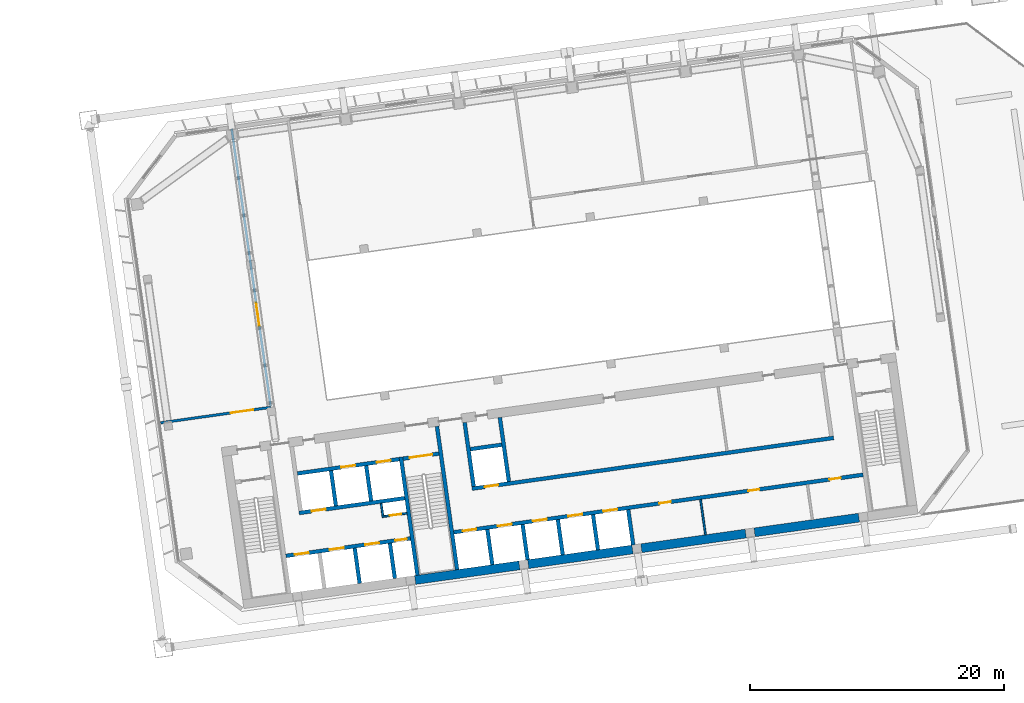
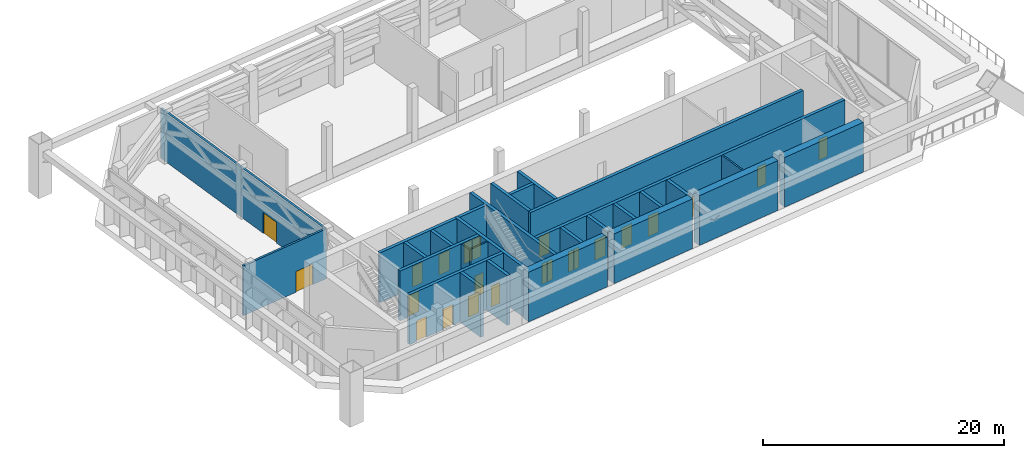
# One storey, part 23 of 41: 29 walls, 20 doors, 20 openings.
"""IFC4 building model written with IfcOpenShell, lengths in metres."""

from ifc_helpers import new_model, si_unit, direction, frame, frame_2d, origin, place, context, subcontext, project, spatial, rectangle, extrude, material, layer, layer_set, type_object, element, fill, save


model = new_model("IFC4")

# Units and contexts
model_context = context("Model", 3, precision=1e-05, world=origin(), true_north=direction((0.0, 1.0)))
body_context = subcontext(model_context, "Body", "Model", "MODEL_VIEW")
ifc_project = project(units=[si_unit("LENGTHUNIT", "METRE"), si_unit("AREAUNIT", "SQUARE_METRE"), si_unit("VOLUMEUNIT", "CUBIC_METRE"), si_unit("PLANEANGLEUNIT", "RADIAN"), si_unit("MASSUNIT", "GRAM", prefix="KILO")], contexts=[model_context])

# Site, building, storey
site_placement = place(None, origin())
site = spatial("IfcSite", under=ifc_project, at=site_placement, CompositionType="ELEMENT")
building_placement = place(site_placement, origin())
building = spatial("IfcBuilding", under=site, at=building_placement, Name="Mirante Cascada Hotel Towers", CompositionType="ELEMENT")
storey_placement = place(building_placement, frame((0.0, 0.0, 151.9)))
storey = spatial("IfcBuildingStorey", under=building, at=storey_placement, Name="L35", CompositionType="ELEMENT", Elevation=151.9)

# Wall
ifc_material_1 = material(Name="Masonry block", Category="masonry")
ifc_layer_1 = layer(ifc_material_1, 0.15)
ifc_layer_set_1 = layer_set([ifc_layer_1], Name="Core room partition 150 block EI 30")
wall_type_1 = type_object("IfcWallType", Name="Core room partition 150 block EI 30", PredefinedType="PARTITIONING", material=ifc_layer_set_1)
wall_1_placement = place(storey_placement, frame((48.2295, -12.793, 0.0), z_axis=(0.0, 0.0, 1.0), x_axis=(-0.1391935, 0.9902652, 0.0)))
element("IfcWall", 1, at=wall_1_placement, inside=storey, type_object=wall_type_1, Name="Core wall partition T2 L35 2", PredefinedType="PARTITIONING", context=body_context, shape_type="SweptSolid", body=[
    extrude(rectangle(XDim=1.1251, YDim=0.15, at=frame_2d((0.5626, 0.0))), origin(), (0.0, 0.0, 1.0), 5.05),
])

# Wall, opening, door
wall_2_placement = place(storey_placement, frame((48.2933, -12.7083, 0.0), z_axis=(0.0, 0.0, 1.0), x_axis=(0.990268, 0.1391734, 0.0)))
wall_2 = element("IfcWall", 2, at=wall_2_placement, inside=storey, type_object=wall_type_1, Name="Core wall partition T2 L35 3", PredefinedType="PARTITIONING", context=body_context, shape_type="SweptSolid", body=[
    extrude(rectangle(XDim=1.8251, YDim=0.15, at=frame_2d((0.9126, 0.0))), origin(), (0.0, 0.0, 1.0), 5.05),
])
opening_1_placement = place(wall_2_placement, frame((0.4625, 0.0, 0.0)))
opening_1 = element("IfcOpeningElement", 3, at=opening_1_placement, cuts=wall_2, Name="Opening D2-35-C23", PredefinedType="OPENING", context=body_context, shape_type="SweptSolid", body=[
    extrude(rectangle(XDim=0.9, YDim=2.1, at=frame_2d((0.45, 1.05))), frame((0.0, 0.075, 0.0), z_axis=(0.0, -1.0, 0.0), x_axis=(1.0, 0.0, 0.0)), (0.0, 0.0, 1.0), 0.15),
])
ifc_material_2 = material(Name="Hollow metal fire door leaf")
door_type_1 = type_object("IfcDoorType", Name="Fire door 900x2100 FD60", OperationType="NOTDEFINED", PredefinedType="DOOR", material=ifc_material_2)
door_1_placement = place(opening_1_placement, frame((0.9, 0.0, 0.0), z_axis=(0.0, 0.0, 1.0), x_axis=(-1.0, 0.0, 0.0)))
door_1 = element("IfcDoor", 4, at=door_1_placement, inside=storey, type_object=door_type_1, Name="Riser door T2 L35 23", OperationType="SINGLE_SWING_RIGHT", OverallHeight=2.1, OverallWidth=0.9, PredefinedType="DOOR", context=body_context, shape_type="SweptSolid", body=[
    extrude(rectangle(XDim=0.9, YDim=2.1, at=frame_2d((0.45, 1.05))), frame((0.0, 0.025, 0.0), z_axis=(0.0, -1.0, 0.0), x_axis=(1.0, 0.0, 0.0)), (0.0, 0.0, 1.0), 0.05),
])
fill(opening_1, door_1)

# Walls
wall_3_placement = place(storey_placement, frame((73.6152, -14.1482, 0.0), z_axis=(0.0, 0.0, 1.0), x_axis=(-0.139176, 0.9902677, 0.0)))
element("IfcWall", 5, at=wall_3_placement, inside=storey, type_object=wall_type_1, Name="Core wall partition T2 L35 4", PredefinedType="PARTITIONING", context=body_context, shape_type="SweptSolid", body=[
    extrude(rectangle(XDim=2.8001, YDim=0.15, at=frame_2d((1.4, 0.0))), origin(), (0.0, 0.0, 1.0), 5.05),
])
ifc_material_3 = material(Name="Concrete C50/60", Category="concrete")
ifc_layer_2 = layer(ifc_material_3, 0.3)
ifc_layer_set_2 = layer_set([ifc_layer_2], Name="RC core wall 300 C50/60")
wall_type_2 = type_object("IfcWallType", Name="RC core wall 300 C50/60", PredefinedType="SHEAR", material=ifc_layer_set_2)
wall_4_placement = place(storey_placement, frame((50.938, -17.3352, 0.0), z_axis=(0.0, 0.0, 1.0), x_axis=(-0.1391706, 0.9902684, 0.0)))
element("IfcWall", 6, at=wall_4_placement, inside=storey, type_object=wall_type_2, Name="Core wall T2:L35:6", PredefinedType="SHEAR", context=body_context, shape_type="SweptSolid", body=[
    extrude(rectangle(XDim=9.4, YDim=0.3, at=frame_2d((4.7, 0.0))), origin(), (0.0, 0.0, 1.0), 5.05),
])
wall_5_placement = place(storey_placement, frame((54.0574, -16.8968, 0.0), z_axis=(0.0, 0.0, 1.0), x_axis=(-0.1391761, 0.9902677, 0.0)))
element("IfcWall", 7, at=wall_5_placement, inside=storey, type_object=wall_type_2, Name="Core wall T2:L35:7", PredefinedType="SHEAR", context=body_context, shape_type="SweptSolid", body=[
    extrude(rectangle(XDim=11.3999, YDim=0.3, at=frame_2d((5.7, 0.0))), origin(), (0.0, 0.0, 1.0), 5.05),
])

# Wall, opening, door
wall_6_placement = place(storey_placement, frame((49.7992, -8.1544, 0.0), z_axis=(0.0, 0.0, 1.0), x_axis=(0.9902656, 0.1391909, 0.0)))
wall_6 = element("IfcWall", 8, at=wall_6_placement, inside=storey, type_object=wall_type_2, Name="Core wall T2:L35:10", PredefinedType="SHEAR", context=body_context, shape_type="SweptSolid", body=[
    extrude(rectangle(XDim=2.85, YDim=0.3, at=frame_2d((1.425, 0.0))), origin(), (0.0, 0.0, 1.0), 5.05),
])
opening_2_placement = place(wall_6_placement, frame((0.525, 0.0, 0.0)))
opening_2 = element("IfcOpeningElement", 9, at=opening_2_placement, cuts=wall_6, Name="Opening D2-35-C15", PredefinedType="OPENING", context=body_context, shape_type="SweptSolid", body=[
    extrude(rectangle(XDim=1.8, YDim=2.1, at=frame_2d((0.9, 1.05))), frame((0.0, 0.15, 0.0), z_axis=(0.0, -1.0, 0.0), x_axis=(1.0, 0.0, 0.0)), (0.0, 0.0, 1.0), 0.3),
])
ifc_material_4 = material(Name="Hollow metal fire door leaf")
door_type_2 = type_object("IfcDoorType", Name="Double fire door 1800x2100 FD60", OperationType="DOUBLE_DOOR_SINGLE_SWING", PredefinedType="DOOR", material=ifc_material_4)
door_2_placement = place(opening_2_placement, frame((1.8, 0.0, 0.0), z_axis=(0.0, 0.0, 1.0), x_axis=(-1.0, 0.0, 0.0)))
door_2 = element("IfcDoor", 10, at=door_2_placement, inside=storey, type_object=door_type_2, Name="Stair door T2 L35 15", OperationType="DOUBLE_DOOR_SINGLE_SWING", OverallHeight=2.1, OverallWidth=1.8, PredefinedType="DOOR", context=body_context, shape_type="SweptSolid", body=[
    extrude(rectangle(XDim=0.895, YDim=2.1, at=frame_2d((0.4475, 1.05))), frame((0.0, 0.025, 0.0), z_axis=(0.0, -1.0, 0.0), x_axis=(1.0, 0.0, 0.0)), (0.0, 0.0, 1.0), 0.05),
    extrude(rectangle(XDim=0.895, YDim=2.1, at=frame_2d((1.3525, 1.05))), frame((0.0, 0.025, 0.0), z_axis=(0.0, -1.0, 0.0), x_axis=(1.0, 0.0, 0.0)), (0.0, 0.0, 1.0), 0.05),
])
fill(opening_2, door_2)

# Wall, openings, doors
wall_7_placement = place(storey_placement, frame((40.5753, -15.8126, 0.0), z_axis=(0.0, 0.0, 1.0), x_axis=(0.9902682, 0.1391725, 0.0)))
wall_7 = element("IfcWall", 11, at=wall_7_placement, inside=storey, type_object=wall_type_2, Name="Core wall T2:L35:12", PredefinedType="SHEAR", context=body_context, shape_type="SweptSolid", body=[
    extrude(rectangle(XDim=9.8999, YDim=0.3, at=frame_2d((4.95, 0.0))), origin(), (0.0, 0.0, 1.0), 5.05),
])
opening_3_placement = place(wall_7_placement, frame((0.7, 0.0, 0.0)))
opening_3 = element("IfcOpeningElement", 12, at=opening_3_placement, cuts=wall_7, Name="Opening LD", PredefinedType="OPENING", context=body_context, shape_type="SweptSolid", body=[
    extrude(rectangle(XDim=1.1, YDim=2.1, at=frame_2d((0.55, 1.05))), frame((0.0, 0.15, 0.0), z_axis=(0.0, -1.0, 0.0), x_axis=(1.0, 0.0, 0.0)), (0.0, 0.0, 1.0), 0.3),
])
opening_4_placement = place(wall_7_placement, frame((3.5, 0.0, 0.0)))
opening_4 = element("IfcOpeningElement", 13, at=opening_4_placement, cuts=wall_7, Name="Opening LD", PredefinedType="OPENING", context=body_context, shape_type="SweptSolid", body=[
    extrude(rectangle(XDim=1.1, YDim=2.1, at=frame_2d((0.55, 1.05))), frame((0.0, 0.15, 0.0), z_axis=(0.0, -1.0, 0.0), x_axis=(1.0, 0.0, 0.0)), (0.0, 0.0, 1.0), 0.3),
])
opening_5_placement = place(wall_7_placement, frame((6.3, 0.0, 0.0)))
opening_5 = element("IfcOpeningElement", 14, at=opening_5_placement, cuts=wall_7, Name="Opening LD", PredefinedType="OPENING", context=body_context, shape_type="SweptSolid", body=[
    extrude(rectangle(XDim=1.1, YDim=2.1, at=frame_2d((0.55, 1.05))), frame((0.0, 0.15, 0.0), z_axis=(0.0, -1.0, 0.0), x_axis=(1.0, 0.0, 0.0)), (0.0, 0.0, 1.0), 0.3),
])
opening_6_placement = place(wall_7_placement, frame((8.7, 0.0, 0.0)))
opening_6 = element("IfcOpeningElement", 15, at=opening_6_placement, cuts=wall_7, Name="Opening D2-35-C22", PredefinedType="OPENING", context=body_context, shape_type="SweptSolid", body=[
    extrude(rectangle(XDim=0.9, YDim=2.1, at=frame_2d((0.45, 1.05))), frame((0.0, 0.15, 0.0), z_axis=(0.0, -1.0, 0.0), x_axis=(1.0, 0.0, 0.0)), (0.0, 0.0, 1.0), 0.3),
])
door_3_placement = place(opening_6_placement, frame((0.9, 0.0, 0.0), z_axis=(0.0, 0.0, 1.0), x_axis=(-1.0, 0.0, 0.0)))
door_3 = element("IfcDoor", 16, at=door_3_placement, inside=storey, type_object=door_type_1, Name="Riser door T2 L35 22", OperationType="SINGLE_SWING_RIGHT", OverallHeight=2.1, OverallWidth=0.9, PredefinedType="DOOR", context=body_context, shape_type="SweptSolid", body=[
    extrude(rectangle(XDim=0.9, YDim=2.1, at=frame_2d((0.45, 1.05))), frame((0.0, 0.025, 0.0), z_axis=(0.0, -1.0, 0.0), x_axis=(1.0, 0.0, 0.0)), (0.0, 0.0, 1.0), 0.05),
])
fill(opening_6, door_3)
ifc_material_5 = material(Name="Stainless steel", Category="steel")
door_type_3 = type_object("IfcDoorType", Name="Lift landing door 1100x2100 EI 120", OperationType="DOUBLE_DOOR_SLIDING", PredefinedType="DOOR", material=ifc_material_5)
door_4_placement = place(opening_3_placement, origin())
door_4 = element("IfcDoor", 17, at=door_4_placement, inside=storey, type_object=door_type_3, Name="Lift landing door HR2-1 L35", OperationType="DOUBLE_DOOR_SLIDING", OverallHeight=2.1, OverallWidth=1.1, PredefinedType="DOOR", context=body_context, shape_type="SweptSolid", body=[
    extrude(rectangle(XDim=0.545, YDim=2.1, at=frame_2d((0.2725, 1.05))), frame((0.0, 0.025, 0.0), z_axis=(0.0, -1.0, 0.0), x_axis=(1.0, 0.0, 0.0)), (0.0, 0.0, 1.0), 0.05),
    extrude(rectangle(XDim=0.545, YDim=2.1, at=frame_2d((0.8275, 1.05))), frame((0.0, 0.025, 0.0), z_axis=(0.0, -1.0, 0.0), x_axis=(1.0, 0.0, 0.0)), (0.0, 0.0, 1.0), 0.05),
])
fill(opening_3, door_4)
door_5_placement = place(opening_4_placement, origin())
door_5 = element("IfcDoor", 18, at=door_5_placement, inside=storey, type_object=door_type_3, Name="Lift landing door HR2-2 L35", OperationType="DOUBLE_DOOR_SLIDING", OverallHeight=2.1, OverallWidth=1.1, PredefinedType="DOOR", context=body_context, shape_type="SweptSolid", body=[
    extrude(rectangle(XDim=0.545, YDim=2.1, at=frame_2d((0.2725, 1.05))), frame((0.0, 0.025, 0.0), z_axis=(0.0, -1.0, 0.0), x_axis=(1.0, 0.0, 0.0)), (0.0, 0.0, 1.0), 0.05),
    extrude(rectangle(XDim=0.545, YDim=2.1, at=frame_2d((0.8275, 1.05))), frame((0.0, 0.025, 0.0), z_axis=(0.0, -1.0, 0.0), x_axis=(1.0, 0.0, 0.0)), (0.0, 0.0, 1.0), 0.05),
])
fill(opening_4, door_5)
door_6_placement = place(opening_5_placement, origin())
door_6 = element("IfcDoor", 19, at=door_6_placement, inside=storey, type_object=door_type_3, Name="Lift landing door HR2-3 L35", OperationType="DOUBLE_DOOR_SLIDING", OverallHeight=2.1, OverallWidth=1.1, PredefinedType="DOOR", context=body_context, shape_type="SweptSolid", body=[
    extrude(rectangle(XDim=0.545, YDim=2.1, at=frame_2d((0.2725, 1.05))), frame((0.0, 0.025, 0.0), z_axis=(0.0, -1.0, 0.0), x_axis=(1.0, 0.0, 0.0)), (0.0, 0.0, 1.0), 0.05),
    extrude(rectangle(XDim=0.545, YDim=2.1, at=frame_2d((0.8275, 1.05))), frame((0.0, 0.025, 0.0), z_axis=(0.0, -1.0, 0.0), x_axis=(1.0, 0.0, 0.0)), (0.0, 0.0, 1.0), 0.05),
])
fill(opening_5, door_6)

# Wall, opening, door
wall_8_placement = place(storey_placement, frame((41.6153, -12.435, 0.0), z_axis=(0.0, 0.0, 1.0), x_axis=(0.9902691, 0.139166, 0.0)))
wall_8 = element("IfcWall", 20, at=wall_8_placement, inside=storey, type_object=wall_type_2, Name="Core wall T2:L35:13", PredefinedType="SHEAR", context=body_context, shape_type="SweptSolid", body=[
    extrude(rectangle(XDim=8.4, YDim=0.3, at=frame_2d((4.2, 0.0))), origin(), (0.0, 0.0, 1.0), 5.05),
])
opening_7_placement = place(wall_8_placement, frame((1.0, 0.0, 0.0)))
opening_7 = element("IfcOpeningElement", 21, at=opening_7_placement, cuts=wall_8, Name="Opening LD", PredefinedType="OPENING", context=body_context, shape_type="SweptSolid", body=[
    extrude(rectangle(XDim=1.1, YDim=2.1, at=frame_2d((0.55, 1.05))), frame((0.0, 0.15, 0.0), z_axis=(0.0, -1.0, 0.0), x_axis=(1.0, 0.0, 0.0)), (0.0, 0.0, 1.0), 0.3),
])
door_7_placement = place(opening_7_placement, origin())
door_7 = element("IfcDoor", 22, at=door_7_placement, inside=storey, type_object=door_type_3, Name="Lift landing door HR2-4 L35", OperationType="DOUBLE_DOOR_SLIDING", OverallHeight=2.1, OverallWidth=1.1, PredefinedType="DOOR", context=body_context, shape_type="SweptSolid", body=[
    extrude(rectangle(XDim=0.545, YDim=2.1, at=frame_2d((0.2725, 1.05))), frame((0.0, 0.025, 0.0), z_axis=(0.0, -1.0, 0.0), x_axis=(1.0, 0.0, 0.0)), (0.0, 0.0, 1.0), 0.05),
    extrude(rectangle(XDim=0.545, YDim=2.1, at=frame_2d((0.8275, 1.05))), frame((0.0, 0.025, 0.0), z_axis=(0.0, -1.0, 0.0), x_axis=(1.0, 0.0, 0.0)), (0.0, 0.0, 1.0), 0.05),
])
fill(opening_7, door_7)

# Wall, openings, doors
wall_9_placement = place(storey_placement, frame((41.481, -9.3234, 0.0), z_axis=(0.0, 0.0, 1.0), x_axis=(0.9902679, 0.1391741, 0.0)))
wall_9 = element("IfcWall", 23, at=wall_9_placement, inside=storey, type_object=wall_type_2, Name="Core wall T2:L35:14", PredefinedType="SHEAR", context=body_context, shape_type="SweptSolid", body=[
    extrude(rectangle(XDim=8.0999, YDim=0.3, at=frame_2d((4.05, 0.0))), origin(), (0.0, 0.0, 1.0), 5.05),
])
opening_8_placement = place(wall_9_placement, frame((3.5, 0.0, 0.0)))
opening_8 = element("IfcOpeningElement", 24, at=opening_8_placement, cuts=wall_9, Name="Opening LD", PredefinedType="OPENING", context=body_context, shape_type="SweptSolid", body=[
    extrude(rectangle(XDim=1.1, YDim=2.1, at=frame_2d((0.55, 1.05))), frame((0.0, 0.15, 0.0), z_axis=(0.0, -1.0, 0.0), x_axis=(1.0, 0.0, 0.0)), (0.0, 0.0, 1.0), 0.3),
])
opening_9_placement = place(wall_9_placement, frame((6.3, 0.0, 0.0)))
opening_9 = element("IfcOpeningElement", 25, at=opening_9_placement, cuts=wall_9, Name="Opening LD", PredefinedType="OPENING", context=body_context, shape_type="SweptSolid", body=[
    extrude(rectangle(XDim=1.1, YDim=2.1, at=frame_2d((0.55, 1.05))), frame((0.0, 0.15, 0.0), z_axis=(0.0, -1.0, 0.0), x_axis=(1.0, 0.0, 0.0)), (0.0, 0.0, 1.0), 0.3),
])
door_8_placement = place(opening_8_placement, origin())
door_8 = element("IfcDoor", 26, at=door_8_placement, inside=storey, type_object=door_type_3, Name="Lift landing door FF3 L35", OperationType="DOUBLE_DOOR_SLIDING", OverallHeight=2.1, OverallWidth=1.1, PredefinedType="DOOR", context=body_context, shape_type="SweptSolid", body=[
    extrude(rectangle(XDim=0.545, YDim=2.1, at=frame_2d((0.2725, 1.05))), frame((0.0, 0.025, 0.0), z_axis=(0.0, -1.0, 0.0), x_axis=(1.0, 0.0, 0.0)), (0.0, 0.0, 1.0), 0.05),
    extrude(rectangle(XDim=0.545, YDim=2.1, at=frame_2d((0.8275, 1.05))), frame((0.0, 0.025, 0.0), z_axis=(0.0, -1.0, 0.0), x_axis=(1.0, 0.0, 0.0)), (0.0, 0.0, 1.0), 0.05),
])
fill(opening_8, door_8)
door_9_placement = place(opening_9_placement, origin())
door_9 = element("IfcDoor", 27, at=door_9_placement, inside=storey, type_object=door_type_3, Name="Lift landing door FF4 L35", OperationType="DOUBLE_DOOR_SLIDING", OverallHeight=2.1, OverallWidth=1.1, PredefinedType="DOOR", context=body_context, shape_type="SweptSolid", body=[
    extrude(rectangle(XDim=0.545, YDim=2.1, at=frame_2d((0.2725, 1.05))), frame((0.0, 0.025, 0.0), z_axis=(0.0, -1.0, 0.0), x_axis=(1.0, 0.0, 0.0)), (0.0, 0.0, 1.0), 0.05),
    extrude(rectangle(XDim=0.545, YDim=2.1, at=frame_2d((0.8275, 1.05))), frame((0.0, 0.025, 0.0), z_axis=(0.0, -1.0, 0.0), x_axis=(1.0, 0.0, 0.0)), (0.0, 0.0, 1.0), 0.05),
])
fill(opening_9, door_9)

# Walls
wall_10_placement = place(storey_placement, frame((46.3828, -17.9754, 0.0), z_axis=(0.0, 0.0, 1.0), x_axis=(-0.139181, 0.990267, 0.0)))
element("IfcWall", 28, at=wall_10_placement, inside=storey, type_object=wall_type_2, Name="Core wall T2:L35:16", PredefinedType="SHEAR", context=body_context, shape_type="SweptSolid", body=[
    extrude(rectangle(XDim=2.8, YDim=0.3, at=frame_2d((1.4, 0.0))), origin(), (0.0, 0.0, 1.0), 5.05),
])
wall_11_placement = place(storey_placement, frame((49.1555, -17.5857, 0.0), z_axis=(0.0, 0.0, 1.0), x_axis=(-0.1391459, 0.9902719, 0.0)))
element("IfcWall", 29, at=wall_11_placement, inside=storey, type_object=wall_type_2, Name="Core wall T2:L35:17", PredefinedType="SHEAR", context=body_context, shape_type="SweptSolid", body=[
    extrude(rectangle(XDim=2.7999, YDim=0.3, at=frame_2d((1.4, 0.0))), origin(), (0.0, 0.0, 1.0), 5.05),
])
for number, where, z_axis, x_axis, name in (
    (30, (44.5157, -11.8759, 0.0), (0.0, 0.0, 1.0), (-0.139181, 0.990267, 0.0), "Core wall T2:L35:18"),
    (31, (47.2885, -11.4862, 0.0), (0.0, 0.0, 1.0), (-0.139181, 0.990267, 0.0), "Core wall T2:L35:19"),
):
    element("IfcWall", number, at=place(storey_placement, frame(where, z_axis=z_axis, x_axis=x_axis)), inside=storey, type_object=wall_type_2, Name=name, PredefinedType="SHEAR", context=body_context, shape_type="SweptSolid", body=[
        extrude(rectangle(XDim=2.8, YDim=0.3, at=frame_2d((1.4, 0.0))), origin(), (0.0, 0.0, 1.0), 5.05),
    ])

# Wall, openings, doors
wall_12_placement = place(storey_placement, frame((53.7953, -13.9547, 0.0), z_axis=(0.0, 0.0, 1.0), x_axis=(0.990268, 0.1391733, 0.0)))
wall_12 = element("IfcWall", 32, at=wall_12_placement, inside=storey, type_object=wall_type_2, Name="Core wall T2:L35:24", PredefinedType="SHEAR", context=body_context, shape_type="SweptSolid", body=[
    extrude(rectangle(XDim=32.5501, YDim=0.3, at=frame_2d((16.275, 0.0))), origin(), (0.0, 0.0, 1.0), 5.05),
])
opening_10_placement = place(wall_12_placement, frame((0.7, 0.0, 0.0)))
opening_10 = element("IfcOpeningElement", 33, at=opening_10_placement, cuts=wall_12, Name="Opening LD", PredefinedType="OPENING", context=body_context, shape_type="SweptSolid", body=[
    extrude(rectangle(XDim=1.1, YDim=2.1, at=frame_2d((0.55, 1.05))), frame((0.0, 0.15, 0.0), z_axis=(0.0, -1.0, 0.0), x_axis=(1.0, 0.0, 0.0)), (0.0, 0.0, 1.0), 0.3),
])
opening_11_placement = place(wall_12_placement, frame((3.5, 0.0, 0.0)))
opening_11 = element("IfcOpeningElement", 34, at=opening_11_placement, cuts=wall_12, Name="Opening LD", PredefinedType="OPENING", context=body_context, shape_type="SweptSolid", body=[
    extrude(rectangle(XDim=1.1, YDim=2.1, at=frame_2d((0.55, 1.05))), frame((0.0, 0.15, 0.0), z_axis=(0.0, -1.0, 0.0), x_axis=(1.0, 0.0, 0.0)), (0.0, 0.0, 1.0), 0.3),
])
opening_12_placement = place(wall_12_placement, frame((6.3, 0.0, 0.0)))
opening_12 = element("IfcOpeningElement", 35, at=opening_12_placement, cuts=wall_12, Name="Opening LD", PredefinedType="OPENING", context=body_context, shape_type="SweptSolid", body=[
    extrude(rectangle(XDim=1.1, YDim=2.1, at=frame_2d((0.55, 1.05))), frame((0.0, 0.15, 0.0), z_axis=(0.0, -1.0, 0.0), x_axis=(1.0, 0.0, 0.0)), (0.0, 0.0, 1.0), 0.3),
])
opening_13_placement = place(wall_12_placement, frame((9.1, 0.0, 0.0)))
opening_13 = element("IfcOpeningElement", 36, at=opening_13_placement, cuts=wall_12, Name="Opening LD", PredefinedType="OPENING", context=body_context, shape_type="SweptSolid", body=[
    extrude(rectangle(XDim=1.1, YDim=2.1, at=frame_2d((0.55, 1.05))), frame((0.0, 0.15, 0.0), z_axis=(0.0, -1.0, 0.0), x_axis=(1.0, 0.0, 0.0)), (0.0, 0.0, 1.0), 0.3),
])
opening_14_placement = place(wall_12_placement, frame((11.9, 0.0, 0.0)))
opening_14 = element("IfcOpeningElement", 37, at=opening_14_placement, cuts=wall_12, Name="Opening LD", PredefinedType="OPENING", context=body_context, shape_type="SweptSolid", body=[
    extrude(rectangle(XDim=1.1, YDim=2.1, at=frame_2d((0.55, 1.05))), frame((0.0, 0.15, 0.0), z_axis=(0.0, -1.0, 0.0), x_axis=(1.0, 0.0, 0.0)), (0.0, 0.0, 1.0), 0.3),
])
opening_15_placement = place(wall_12_placement, frame((16.35, 0.0, 0.0)))
opening_15 = element("IfcOpeningElement", 38, at=opening_15_placement, cuts=wall_12, Name="Opening D2-35-C25", PredefinedType="OPENING", context=body_context, shape_type="SweptSolid", body=[
    extrude(rectangle(XDim=0.9, YDim=2.1, at=frame_2d((0.45, 1.05))), frame((0.0, 0.15, 0.0), z_axis=(0.0, -1.0, 0.0), x_axis=(1.0, 0.0, 0.0)), (0.0, 0.0, 1.0), 0.3),
])
opening_16_placement = place(wall_12_placement, frame((23.4, 0.0, 0.0)))
opening_16 = element("IfcOpeningElement", 39, at=opening_16_placement, cuts=wall_12, Name="Opening D2-35-C26", PredefinedType="OPENING", context=body_context, shape_type="SweptSolid", body=[
    extrude(rectangle(XDim=0.9, YDim=2.1, at=frame_2d((0.45, 1.05))), frame((0.0, 0.15, 0.0), z_axis=(0.0, -1.0, 0.0), x_axis=(1.0, 0.0, 0.0)), (0.0, 0.0, 1.0), 0.3),
])
opening_17_placement = place(wall_12_placement, frame((29.875, 0.0, 0.0)))
opening_17 = element("IfcOpeningElement", 40, at=opening_17_placement, cuts=wall_12, Name="Opening D2-35-C27", PredefinedType="OPENING", context=body_context, shape_type="SweptSolid", body=[
    extrude(rectangle(XDim=0.9, YDim=2.1, at=frame_2d((0.45, 1.05))), frame((0.0, 0.15, 0.0), z_axis=(0.0, -1.0, 0.0), x_axis=(1.0, 0.0, 0.0)), (0.0, 0.0, 1.0), 0.3),
])
door_10_placement = place(opening_15_placement, frame((0.9, 0.0, 0.0), z_axis=(0.0, 0.0, 1.0), x_axis=(-1.0, 0.0, 0.0)))
door_10 = element("IfcDoor", 41, at=door_10_placement, inside=storey, type_object=door_type_1, Name="Room door T2 L35 25", OperationType="SINGLE_SWING_RIGHT", OverallHeight=2.1, OverallWidth=0.9, PredefinedType="DOOR", context=body_context, shape_type="SweptSolid", body=[
    extrude(rectangle(XDim=0.9, YDim=2.1, at=frame_2d((0.45, 1.05))), frame((0.0, 0.025, 0.0), z_axis=(0.0, -1.0, 0.0), x_axis=(1.0, 0.0, 0.0)), (0.0, 0.0, 1.0), 0.05),
])
fill(opening_15, door_10)
door_11_placement = place(opening_16_placement, frame((0.9, 0.0, 0.0), z_axis=(0.0, 0.0, 1.0), x_axis=(-1.0, 0.0, 0.0)))
door_11 = element("IfcDoor", 42, at=door_11_placement, inside=storey, type_object=door_type_1, Name="Room door T2 L35 26", OperationType="SINGLE_SWING_RIGHT", OverallHeight=2.1, OverallWidth=0.9, PredefinedType="DOOR", context=body_context, shape_type="SweptSolid", body=[
    extrude(rectangle(XDim=0.9, YDim=2.1, at=frame_2d((0.45, 1.05))), frame((0.0, 0.025, 0.0), z_axis=(0.0, -1.0, 0.0), x_axis=(1.0, 0.0, 0.0)), (0.0, 0.0, 1.0), 0.05),
])
fill(opening_16, door_11)
door_12_placement = place(opening_17_placement, frame((0.9, 0.0, 0.0), z_axis=(0.0, 0.0, 1.0), x_axis=(-1.0, 0.0, 0.0)))
door_12 = element("IfcDoor", 43, at=door_12_placement, inside=storey, type_object=door_type_1, Name="Room door T2 L35 27", OperationType="SINGLE_SWING_RIGHT", OverallHeight=2.1, OverallWidth=0.9, PredefinedType="DOOR", context=body_context, shape_type="SweptSolid", body=[
    extrude(rectangle(XDim=0.9, YDim=2.1, at=frame_2d((0.45, 1.05))), frame((0.0, 0.025, 0.0), z_axis=(0.0, -1.0, 0.0), x_axis=(1.0, 0.0, 0.0)), (0.0, 0.0, 1.0), 0.05),
])
fill(opening_17, door_12)
door_13_placement = place(opening_10_placement, origin())
door_13 = element("IfcDoor", 44, at=door_13_placement, inside=storey, type_object=door_type_3, Name="Lift landing door LR2-1 L35", OperationType="DOUBLE_DOOR_SLIDING", OverallHeight=2.1, OverallWidth=1.1, PredefinedType="DOOR", context=body_context, shape_type="SweptSolid", body=[
    extrude(rectangle(XDim=0.545, YDim=2.1, at=frame_2d((0.2725, 1.05))), frame((0.0, 0.025, 0.0), z_axis=(0.0, -1.0, 0.0), x_axis=(1.0, 0.0, 0.0)), (0.0, 0.0, 1.0), 0.05),
    extrude(rectangle(XDim=0.545, YDim=2.1, at=frame_2d((0.8275, 1.05))), frame((0.0, 0.025, 0.0), z_axis=(0.0, -1.0, 0.0), x_axis=(1.0, 0.0, 0.0)), (0.0, 0.0, 1.0), 0.05),
])
fill(opening_10, door_13)
door_14_placement = place(opening_11_placement, origin())
door_14 = element("IfcDoor", 45, at=door_14_placement, inside=storey, type_object=door_type_3, Name="Lift landing door LR2-2 L35", OperationType="DOUBLE_DOOR_SLIDING", OverallHeight=2.1, OverallWidth=1.1, PredefinedType="DOOR", context=body_context, shape_type="SweptSolid", body=[
    extrude(rectangle(XDim=0.545, YDim=2.1, at=frame_2d((0.2725, 1.05))), frame((0.0, 0.025, 0.0), z_axis=(0.0, -1.0, 0.0), x_axis=(1.0, 0.0, 0.0)), (0.0, 0.0, 1.0), 0.05),
    extrude(rectangle(XDim=0.545, YDim=2.1, at=frame_2d((0.8275, 1.05))), frame((0.0, 0.025, 0.0), z_axis=(0.0, -1.0, 0.0), x_axis=(1.0, 0.0, 0.0)), (0.0, 0.0, 1.0), 0.05),
])
fill(opening_11, door_14)
door_15_placement = place(opening_12_placement, origin())
door_15 = element("IfcDoor", 46, at=door_15_placement, inside=storey, type_object=door_type_3, Name="Lift landing door SV2-1 L35", OperationType="DOUBLE_DOOR_SLIDING", OverallHeight=2.1, OverallWidth=1.1, PredefinedType="DOOR", context=body_context, shape_type="SweptSolid", body=[
    extrude(rectangle(XDim=0.545, YDim=2.1, at=frame_2d((0.2725, 1.05))), frame((0.0, 0.025, 0.0), z_axis=(0.0, -1.0, 0.0), x_axis=(1.0, 0.0, 0.0)), (0.0, 0.0, 1.0), 0.05),
    extrude(rectangle(XDim=0.545, YDim=2.1, at=frame_2d((0.8275, 1.05))), frame((0.0, 0.025, 0.0), z_axis=(0.0, -1.0, 0.0), x_axis=(1.0, 0.0, 0.0)), (0.0, 0.0, 1.0), 0.05),
])
fill(opening_12, door_15)
door_16_placement = place(opening_13_placement, origin())
door_16 = element("IfcDoor", 47, at=door_16_placement, inside=storey, type_object=door_type_3, Name="Lift landing door SV2-2 L35", OperationType="DOUBLE_DOOR_SLIDING", OverallHeight=2.1, OverallWidth=1.1, PredefinedType="DOOR", context=body_context, shape_type="SweptSolid", body=[
    extrude(rectangle(XDim=0.545, YDim=2.1, at=frame_2d((0.2725, 1.05))), frame((0.0, 0.025, 0.0), z_axis=(0.0, -1.0, 0.0), x_axis=(1.0, 0.0, 0.0)), (0.0, 0.0, 1.0), 0.05),
    extrude(rectangle(XDim=0.545, YDim=2.1, at=frame_2d((0.8275, 1.05))), frame((0.0, 0.025, 0.0), z_axis=(0.0, -1.0, 0.0), x_axis=(1.0, 0.0, 0.0)), (0.0, 0.0, 1.0), 0.05),
])
fill(opening_13, door_16)
door_17_placement = place(opening_14_placement, origin())
door_17 = element("IfcDoor", 48, at=door_17_placement, inside=storey, type_object=door_type_3, Name="Lift landing door SV2-3 L35", OperationType="DOUBLE_DOOR_SLIDING", OverallHeight=2.1, OverallWidth=1.1, PredefinedType="DOOR", context=body_context, shape_type="SweptSolid", body=[
    extrude(rectangle(XDim=0.545, YDim=2.1, at=frame_2d((0.2725, 1.05))), frame((0.0, 0.025, 0.0), z_axis=(0.0, -1.0, 0.0), x_axis=(1.0, 0.0, 0.0)), (0.0, 0.0, 1.0), 0.05),
    extrude(rectangle(XDim=0.545, YDim=2.1, at=frame_2d((0.8275, 1.05))), frame((0.0, 0.025, 0.0), z_axis=(0.0, -1.0, 0.0), x_axis=(1.0, 0.0, 0.0)), (0.0, 0.0, 1.0), 0.05),
])
fill(opening_14, door_17)

# Walls
for number, where, z_axis, x_axis, name in (
    (49, (56.8301, -16.5072, 0.0), (0.0, 0.0, 1.0), (-0.139176, 0.9902677, 0.0), "Core wall T2:L35:25"),
    (50, (59.6029, -16.1175, 0.0), (0.0, 0.0, 1.0), (-0.139176, 0.9902677, 0.0), "Core wall T2:L35:26"),
    (51, (62.3756, -15.7278, 0.0), (0.0, 0.0, 1.0), (-0.139176, 0.9902677, 0.0), "Core wall T2:L35:27"),
    (52, (65.1484, -15.3381, 0.0), (0.0, 0.0, 1.0), (-0.139176, 0.9902677, 0.0), "Core wall T2:L35:28"),
):
    element("IfcWall", number, at=place(storey_placement, frame(where, z_axis=z_axis, x_axis=x_axis)), inside=storey, type_object=wall_type_2, Name=name, PredefinedType="SHEAR", context=body_context, shape_type="SweptSolid", body=[
        extrude(rectangle(XDim=2.8001, YDim=0.3, at=frame_2d((1.4, 0.0))), origin(), (0.0, 0.0, 1.0), 5.05),
    ])
wall_13_placement = place(storey_placement, frame((67.9211, -14.9484, 0.0), z_axis=(0.0, 0.0, 1.0), x_axis=(-0.139181, 0.990267, 0.0)))
element("IfcWall", 53, at=wall_13_placement, inside=storey, type_object=wall_type_2, Name="Core wall T2:L35:29", PredefinedType="SHEAR", context=body_context, shape_type="SweptSolid", body=[
    extrude(rectangle(XDim=2.8, YDim=0.3, at=frame_2d((1.4, 0.0))), origin(), (0.0, 0.0, 1.0), 5.05),
])

# Wall, opening, door
wall_14_placement = place(storey_placement, frame((55.2315, -10.5214, 0.0), z_axis=(0.0, 0.0, 1.0), x_axis=(0.9902682, 0.1391722, 0.0)))
wall_14 = element("IfcWall", 54, at=wall_14_placement, inside=storey, type_object=wall_type_2, Name="Core wall T2:L35:32", PredefinedType="SHEAR", context=body_context, shape_type="SweptSolid", body=[
    extrude(rectangle(XDim=28.75, YDim=0.3, at=frame_2d((14.375, 0.0))), origin(), (0.0, 0.0, 1.0), 5.05),
])
opening_18_placement = place(wall_14_placement, frame((1.0, 0.0, 0.0)))
opening_18 = element("IfcOpeningElement", 55, at=opening_18_placement, cuts=wall_14, Name="Opening LD", PredefinedType="OPENING", context=body_context, shape_type="SweptSolid", body=[
    extrude(rectangle(XDim=1.1, YDim=2.1, at=frame_2d((0.55, 1.05))), frame((0.0, 0.15, 0.0), z_axis=(0.0, -1.0, 0.0), x_axis=(1.0, 0.0, 0.0)), (0.0, 0.0, 1.0), 0.3),
])
door_18_placement = place(opening_18_placement, origin())
door_18 = element("IfcDoor", 56, at=door_18_placement, inside=storey, type_object=door_type_3, Name="Lift landing door LR2-3 L35", OperationType="DOUBLE_DOOR_SLIDING", OverallHeight=2.1, OverallWidth=1.1, PredefinedType="DOOR", context=body_context, shape_type="SweptSolid", body=[
    extrude(rectangle(XDim=0.545, YDim=2.1, at=frame_2d((0.2725, 1.05))), frame((0.0, 0.025, 0.0), z_axis=(0.0, -1.0, 0.0), x_axis=(1.0, 0.0, 0.0)), (0.0, 0.0, 1.0), 0.05),
    extrude(rectangle(XDim=0.545, YDim=2.1, at=frame_2d((0.8275, 1.05))), frame((0.0, 0.025, 0.0), z_axis=(0.0, -1.0, 0.0), x_axis=(1.0, 0.0, 0.0)), (0.0, 0.0, 1.0), 0.05),
])
fill(opening_18, door_18)

# Walls
for number, where, z_axis, x_axis, name in (
    (57, (55.3592, -10.352, 0.0), (0.0, 0.0, 1.0), (-0.1391755, 0.9902677, 0.0), "Core wall T2:L35:33"),
    (58, (58.1319, -9.9623, 0.0), (0.0, 0.0, 1.0), (-0.1391755, 0.9902677, 0.0), "Core wall T2:L35:35"),
):
    element("IfcWall", number, at=place(storey_placement, frame(where, z_axis=z_axis, x_axis=x_axis)), inside=storey, type_object=wall_type_2, Name=name, PredefinedType="SHEAR", context=body_context, shape_type="SweptSolid", body=[
        extrude(rectangle(XDim=5.1, YDim=0.3, at=frame_2d((2.55, 0.0))), origin(), (0.0, 0.0, 1.0), 5.05),
    ])
wall_15_placement = place(storey_placement, frame((55.0971, -7.4098, 0.0), z_axis=(0.0, 0.0, 1.0), x_axis=(0.9902701, 0.1391586, 0.0)))
element("IfcWall", 59, at=wall_15_placement, inside=storey, type_object=wall_type_2, Name="Core wall T2:L35:36", PredefinedType="SHEAR", context=body_context, shape_type="SweptSolid", body=[
    extrude(rectangle(XDim=2.5, YDim=0.3, at=frame_2d((1.25, 0.0))), origin(), (0.0, 0.0, 1.0), 5.05),
])
ifc_material_6 = material(Name="Concrete C50/60", Category="concrete")
ifc_layer_3 = layer(ifc_material_6, 0.7)
ifc_layer_set_3 = layer_set([ifc_layer_3], Name="RC core wall 700 C50/60")
wall_type_3 = type_object("IfcWallType", Name="RC core wall 700 C50/60", PredefinedType="SHEAR", material=ifc_layer_set_3)
wall_16_placement = place(storey_placement, frame((50.754, -17.7145, 0.0), z_axis=(0.0, 0.0, 1.0), x_axis=(0.990269, 0.1391668, 0.0)))
element("IfcWall", 60, at=wall_16_placement, inside=storey, type_object=wall_type_3, Name="Core wall T2:L35:1.3", PredefinedType="SHEAR", context=body_context, shape_type="SweptSolid", body=[
    extrude(rectangle(XDim=8.285, YDim=0.7, at=frame_2d((4.1425, 0.0))), origin(), (0.0, 0.0, 1.0), 5.05),
])
for number, where, z_axis, x_axis, name in (
    (61, (59.6516, -16.4641, 0.0), (0.0, 0.0, 1.0), (0.990267, 0.139181, 0.0), "Core wall T2:L35:1.4"),
    (62, (68.564, -15.2115, 0.0), (0.0, 0.0, 1.0), (0.9902686, 0.1391692, 0.0), "Core wall T2:L35:1.5"),
    (63, (77.4764, -13.9589, 0.0), (0.0, 0.0, 1.0), (0.9902686, 0.1391692, 0.0), "Core wall T2:L35:1.6"),
):
    element("IfcWall", number, at=place(storey_placement, frame(where, z_axis=z_axis, x_axis=x_axis)), inside=storey, type_object=wall_type_3, Name=name, PredefinedType="SHEAR", context=body_context, shape_type="SweptSolid", body=[
        extrude(rectangle(XDim=8.3, YDim=0.7, at=frame_2d((4.15, 0.0))), origin(), (0.0, 0.0, 1.0), 5.05),
    ])

# Wall, opening, door
ifc_material_7 = material(Name="Masonry block", Category="masonry")
ifc_layer_4 = layer(ifc_material_7, 0.2)
ifc_layer_set_4 = layer_set([ifc_layer_4], Name="Refuge and plant wall 200 block EI 120")
wall_type_4 = type_object("IfcWallType", Name="Refuge and plant wall 200 block EI 120", PredefinedType="PARTITIONING", material=ifc_layer_set_4)
wall_17_placement = place(storey_placement, frame((30.7208, -5.3321, 0.0), z_axis=(0.0, 0.0, 1.0), x_axis=(0.990269, 0.1391666, 0.0)))
wall_17 = element("IfcWall", 64, at=wall_17_placement, inside=storey, type_object=wall_type_4, Name="Refuge floor wall T2 L35 S1", PredefinedType="PARTITIONING", context=body_context, shape_type="SweptSolid", body=[
    extrude(rectangle(XDim=8.7499, YDim=0.2, at=frame_2d((4.375, 0.0))), origin(), (0.0, 0.0, 1.0), 5.05),
])
opening_19_placement = place(wall_17_placement, frame((5.55, 0.0, 0.0)))
opening_19 = element("IfcOpeningElement", 65, at=opening_19_placement, cuts=wall_17, Name="Opening D2-35-S01", PredefinedType="OPENING", context=body_context, shape_type="SweptSolid", body=[
    extrude(rectangle(XDim=1.8, YDim=2.1, at=frame_2d((0.9, 1.05))), frame((0.0, 0.1, 0.0), z_axis=(0.0, -1.0, 0.0), x_axis=(1.0, 0.0, 0.0)), (0.0, 0.0, 1.0), 0.2),
])
ifc_material_8 = material(Name="Hollow metal fire door leaf")
door_type_4 = type_object("IfcDoorType", Name="Refuge and plant double door 1800x2100 FD60", OperationType="DOUBLE_DOOR_SINGLE_SWING", PredefinedType="DOOR", material=ifc_material_8)
door_19_placement = place(opening_19_placement, origin())
door_19 = element("IfcDoor", 66, at=door_19_placement, inside=storey, type_object=door_type_4, Name="Fire door T2 L35 s1", OperationType="DOUBLE_DOOR_SINGLE_SWING", OverallHeight=2.1, OverallWidth=1.8, PredefinedType="DOOR", context=body_context, shape_type="SweptSolid", body=[
    extrude(rectangle(XDim=0.895, YDim=2.1, at=frame_2d((0.4475, 1.05))), frame((0.0, 0.025, 0.0), z_axis=(0.0, -1.0, 0.0), x_axis=(1.0, 0.0, 0.0)), (0.0, 0.0, 1.0), 0.05),
    extrude(rectangle(XDim=0.895, YDim=2.1, at=frame_2d((1.3525, 1.05))), frame((0.0, 0.025, 0.0), z_axis=(0.0, -1.0, 0.0), x_axis=(1.0, 0.0, 0.0)), (0.0, 0.0, 1.0), 0.05),
])
fill(opening_19, door_19)

wall_18_placement = place(storey_placement, frame((39.3717, -4.0153, 0.0), z_axis=(0.0, 0.0, 1.0), x_axis=(-0.1391746, 0.9902679, 0.0)))
wall_18 = element("IfcWall", 67, at=wall_18_placement, inside=storey, type_object=wall_type_4, Name="Refuge floor wall T2 L35 S5", PredefinedType="PARTITIONING", context=body_context, shape_type="SweptSolid", body=[
    extrude(rectangle(XDim=22.05, YDim=0.2, at=frame_2d((11.025, 0.0))), origin(), (0.0, 0.0, 1.0), 5.05),
])
opening_20_placement = place(wall_18_placement, frame((6.4, 0.0, 0.0)))
opening_20 = element("IfcOpeningElement", 68, at=opening_20_placement, cuts=wall_18, Name="Opening D2-35-S02", PredefinedType="OPENING", context=body_context, shape_type="SweptSolid", body=[
    extrude(rectangle(XDim=1.8, YDim=2.1, at=frame_2d((0.9, 1.05))), frame((0.0, 0.1, 0.0), z_axis=(0.0, -1.0, 0.0), x_axis=(1.0, 0.0, 0.0)), (0.0, 0.0, 1.0), 0.2),
])
door_20_placement = place(opening_20_placement, origin())
door_20 = element("IfcDoor", 69, at=door_20_placement, inside=storey, type_object=door_type_4, Name="Fire door T2 L35 s2", OperationType="DOUBLE_DOOR_SINGLE_SWING", OverallHeight=2.1, OverallWidth=1.8, PredefinedType="DOOR", context=body_context, shape_type="SweptSolid", body=[
    extrude(rectangle(XDim=0.895, YDim=2.1, at=frame_2d((0.4475, 1.05))), frame((0.0, 0.025, 0.0), z_axis=(0.0, -1.0, 0.0), x_axis=(1.0, 0.0, 0.0)), (0.0, 0.0, 1.0), 0.05),
    extrude(rectangle(XDim=0.895, YDim=2.1, at=frame_2d((1.3525, 1.05))), frame((0.0, 0.025, 0.0), z_axis=(0.0, -1.0, 0.0), x_axis=(1.0, 0.0, 0.0)), (0.0, 0.0, 1.0), 0.05),
])
fill(opening_20, door_20)

save(model, "model.ifc")
